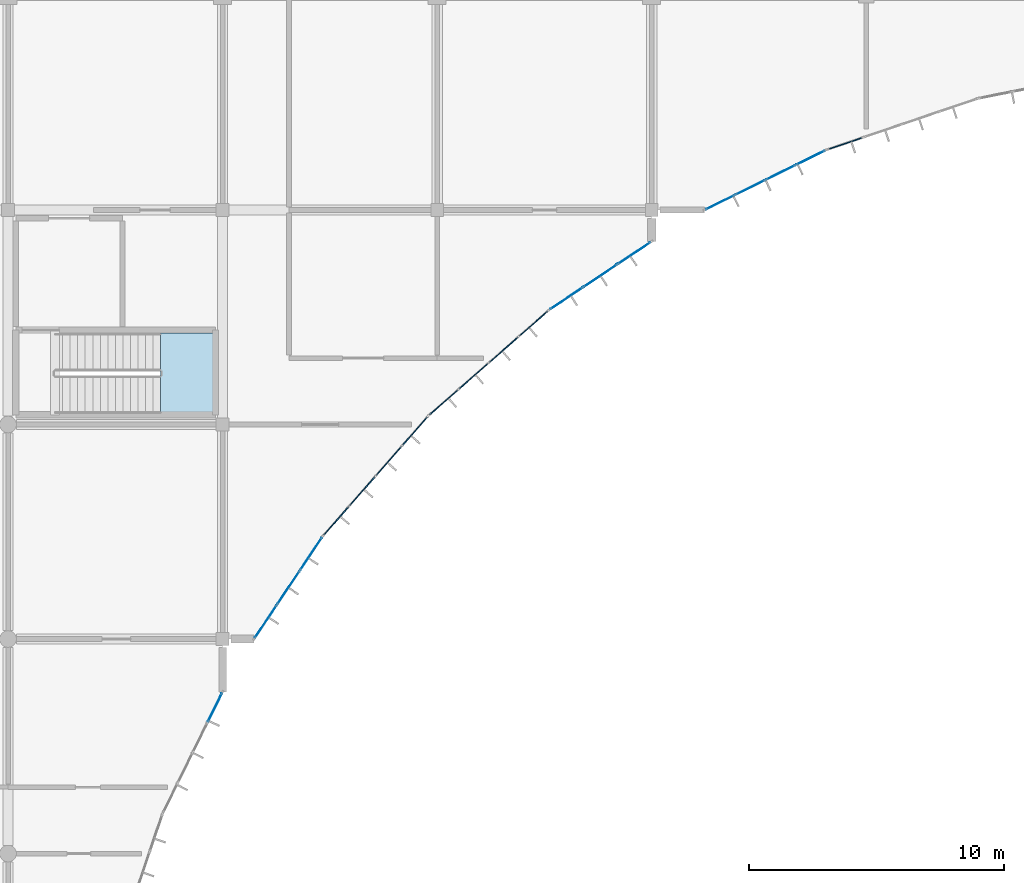
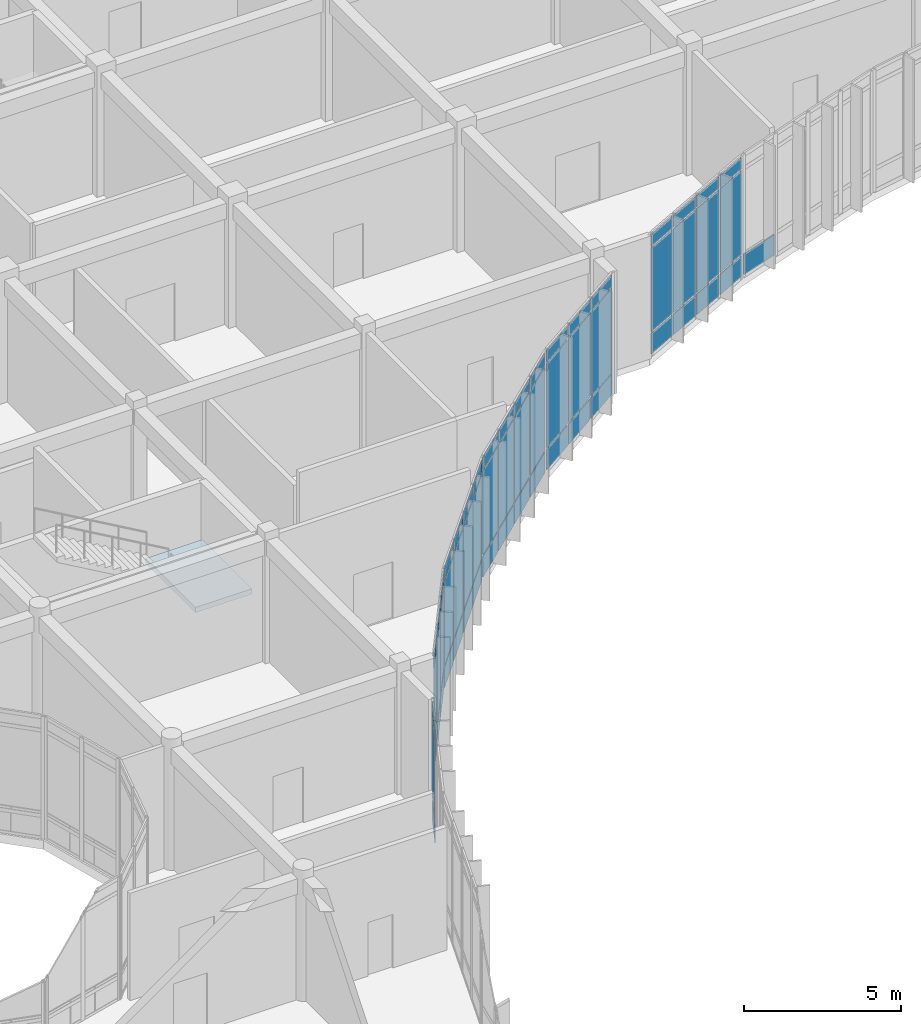
# One storey, part 84 of 134: 58 plates, 1 slab, 8 elements without a shape of their own.
"""IFC4 building model written with IfcOpenShell, lengths in metres."""

from ifc_helpers import new_model, si_unit, direction, frame, origin, origin_2d, place, context, subcontext, project, spatial, polyline, rectangle, outline, extrude, material, layer, layer_set, type_object, element, aggregate, save


model = new_model("IFC4")

# Units and contexts
model_context = context("Model", 3, precision=1e-05, world=origin(), true_north=direction((0.0, 1.0)))
body_context = subcontext(model_context, "Body", "Model", "MODEL_VIEW")
ifc_project = project(units=[si_unit("LENGTHUNIT", "METRE"), si_unit("AREAUNIT", "SQUARE_METRE"), si_unit("VOLUMEUNIT", "CUBIC_METRE"), si_unit("PLANEANGLEUNIT", "RADIAN"), si_unit("MASSUNIT", "GRAM", prefix="KILO")], contexts=[model_context])

# Site, building, storey
site_placement = place(None, origin())
site = spatial("IfcSite", under=ifc_project, at=site_placement, CompositionType="ELEMENT")
building_placement = place(site_placement, origin())
building = spatial("IfcBuilding", under=site, at=building_placement, Name="Bramfleet General Hospital", CompositionType="ELEMENT")
storey_placement = place(building_placement, frame((0.0, 0.0, 9.300048828125)))
storey = spatial("IfcBuildingStorey", under=building, at=storey_placement, Name="L02", CompositionType="ELEMENT", Elevation=9.300048828125)

# Curtain wall, plates
ifc_material_1 = material(Name="Anodised aluminium and low-E triple glazing", Category="aluminium")
ifc_layer_1 = layer(ifc_material_1, 0.179931640625, Name="CWT-CW-15")
ifc_layer_set_1 = layer_set([ifc_layer_1], Name="Anodised aluminium and low-E triple glazing")
curtain_wall_type_1 = type_object("IfcCurtainWallType", Name="CWT-CW-15", PredefinedType="USERDEFINED", material=ifc_layer_set_1)
curtain_wall_1_placement = place(storey_placement, origin())
curtain_wall_1 = element("IfcCurtainWall", 1, at=curtain_wall_1_placement, inside=storey, type_object=curtain_wall_type_1, Name="L02 Curtain Wall 105", ObjectType="Stick curtain wall", PredefinedType="USERDEFINED")
ifc_material_2 = material(Name="Low-E laminated safety glass", Category="glass")
ifc_layer_2 = layer(ifc_material_2, 0.028076171875, Name="CWP-GLZ-1")
ifc_layer_set_2 = layer_set([ifc_layer_2], Name="Low-E laminated safety glass")
plate_type_1 = type_object("IfcPlateType", Name="CWP-GLZ-1", PredefinedType="CURTAIN_PANEL", material=ifc_layer_set_2)
plate_1_placement = place(storey_placement, frame((157.420654296875, 86.044921875, 0.06494140625), z_axis=(0.0, 0.0, 1.0), x_axis=(-0.896864723513, -0.442304948782, 0.0)))
plate_1 = element("IfcPlate", 2, at=plate_1_placement, type_object=plate_type_1, Name="CW-15 panel 1.1", PredefinedType="CURTAIN_PANEL", context=body_context, shape_type="SweptSolid", body=[
    extrude(rectangle(XDim=1.220947265625, YDim=0.028076171875, at=origin_2d()), origin(), (0.0, 0.0, 1.0), 0.802490234375),
])
plate_2_placement = place(storey_placement, frame((157.420654296875, 86.044921875, 0.9326171875), z_axis=(0.0, 0.0, 1.0), x_axis=(-0.896864723513, -0.442304948782, 0.0)))
plate_2 = element("IfcPlate", 3, at=plate_2_placement, type_object=plate_type_1, Name="CW-15 panel 1.2", PredefinedType="CURTAIN_PANEL", context=body_context, shape_type="SweptSolid", body=[
    extrude(rectangle(XDim=1.220947265625, YDim=0.028076171875, at=origin_2d()), origin(), (0.0, 0.0, 1.0), 3.2548828125),
])
plate_3_placement = place(storey_placement, frame((157.420654296875, 86.044921875, 4.25244140625), z_axis=(0.0, 0.0, 1.0), x_axis=(-0.896864723513, -0.442304948782, 0.0)))
plate_3 = element("IfcPlate", 4, at=plate_3_placement, type_object=plate_type_1, Name="CW-15 panel 1.3", PredefinedType="CURTAIN_PANEL", context=body_context, shape_type="SweptSolid", body=[
    extrude(rectangle(XDim=1.220947265625, YDim=0.028076171875, at=origin_2d()), origin(), (0.0, 0.0, 1.0), 0.452392578125),
])
plate_4_placement = place(storey_placement, frame((156.2470703125, 85.46630859375, 0.06494140625), z_axis=(0.0, 0.0, 1.0), x_axis=(-0.896864723513, -0.442304948782, 0.0)))
plate_4 = element("IfcPlate", 5, at=plate_4_placement, type_object=plate_type_1, Name="CW-15 panel 2.1", PredefinedType="CURTAIN_PANEL", context=body_context, shape_type="SweptSolid", body=[
    extrude(rectangle(XDim=1.256103515625, YDim=0.028076171875, at=origin_2d()), origin(), (0.0, 0.0, 1.0), 0.802490234375),
])
plate_5_placement = place(storey_placement, frame((156.2470703125, 85.46630859375, 0.9326171875), z_axis=(0.0, 0.0, 1.0), x_axis=(-0.896864723513, -0.442304948782, 0.0)))
plate_5 = element("IfcPlate", 6, at=plate_5_placement, type_object=plate_type_1, Name="CW-15 panel 2.2", PredefinedType="CURTAIN_PANEL", context=body_context, shape_type="SweptSolid", body=[
    extrude(rectangle(XDim=1.256103515625, YDim=0.028076171875, at=origin_2d()), origin(), (0.0, 0.0, 1.0), 3.2548828125),
])
plate_6_placement = place(storey_placement, frame((156.2470703125, 85.46630859375, 4.25244140625), z_axis=(0.0, 0.0, 1.0), x_axis=(-0.896864723513, -0.442304948782, 0.0)))
plate_6 = element("IfcPlate", 7, at=plate_6_placement, type_object=plate_type_1, Name="CW-15 panel 2.3", PredefinedType="CURTAIN_PANEL", context=body_context, shape_type="SweptSolid", body=[
    extrude(rectangle(XDim=1.256103515625, YDim=0.028076171875, at=origin_2d()), origin(), (0.0, 0.0, 1.0), 0.452392578125),
])
plate_7_placement = place(storey_placement, frame((155.057861328125, 84.879638671875, 0.06494140625), z_axis=(0.0, 0.0, 1.0), x_axis=(-0.896864723513, -0.442304948782, 0.0)))
plate_7 = element("IfcPlate", 8, at=plate_7_placement, type_object=plate_type_1, Name="CW-15 panel 3.1", PredefinedType="CURTAIN_PANEL", context=body_context, shape_type="SweptSolid", body=[
    extrude(rectangle(XDim=1.256103515625, YDim=0.028076171875, at=origin_2d()), origin(), (0.0, 0.0, 1.0), 0.802490234375),
])
plate_8_placement = place(storey_placement, frame((155.057861328125, 84.879638671875, 0.9326171875), z_axis=(0.0, 0.0, 1.0), x_axis=(-0.896864723513, -0.442304948782, 0.0)))
plate_8 = element("IfcPlate", 9, at=plate_8_placement, type_object=plate_type_1, Name="CW-15 panel 3.2", PredefinedType="CURTAIN_PANEL", context=body_context, shape_type="SweptSolid", body=[
    extrude(rectangle(XDim=1.256103515625, YDim=0.028076171875, at=origin_2d()), origin(), (0.0, 0.0, 1.0), 3.2548828125),
])
plate_9_placement = place(storey_placement, frame((155.057861328125, 84.879638671875, 4.25244140625), z_axis=(0.0, 0.0, 1.0), x_axis=(-0.896864723513, -0.442304948782, 0.0)))
plate_9 = element("IfcPlate", 10, at=plate_9_placement, type_object=plate_type_1, Name="CW-15 panel 3.3", PredefinedType="CURTAIN_PANEL", context=body_context, shape_type="SweptSolid", body=[
    extrude(rectangle(XDim=1.256103515625, YDim=0.028076171875, at=origin_2d()), origin(), (0.0, 0.0, 1.0), 0.452392578125),
])
plate_10_placement = place(storey_placement, frame((153.88427734375, 84.301025390625, 0.06494140625), z_axis=(0.0, 0.0, 1.0), x_axis=(-0.896864723513, -0.442304948782, 0.0)))
plate_10 = element("IfcPlate", 11, at=plate_10_placement, type_object=plate_type_1, Name="CW-15 panel 4.1", PredefinedType="CURTAIN_PANEL", context=body_context, shape_type="SweptSolid", body=[
    extrude(rectangle(XDim=1.220947265625, YDim=0.028076171875, at=origin_2d()), origin(), (0.0, 0.0, 1.0), 0.802490234375),
])
plate_11_placement = place(storey_placement, frame((153.88427734375, 84.301025390625, 0.9326171875), z_axis=(0.0, 0.0, 1.0), x_axis=(-0.896864723513, -0.442304948782, 0.0)))
plate_11 = element("IfcPlate", 12, at=plate_11_placement, type_object=plate_type_1, Name="CW-15 panel 4.2", PredefinedType="CURTAIN_PANEL", context=body_context, shape_type="SweptSolid", body=[
    extrude(rectangle(XDim=1.220947265625, YDim=0.028076171875, at=origin_2d()), origin(), (0.0, 0.0, 1.0), 3.2548828125),
])
plate_12_placement = place(storey_placement, frame((153.88427734375, 84.301025390625, 4.25244140625), z_axis=(0.0, 0.0, 1.0), x_axis=(-0.896864723513, -0.442304948782, 0.0)))
plate_12 = element("IfcPlate", 13, at=plate_12_placement, type_object=plate_type_1, Name="CW-15 panel 4.3", PredefinedType="CURTAIN_PANEL", context=body_context, shape_type="SweptSolid", body=[
    extrude(rectangle(XDim=1.220947265625, YDim=0.028076171875, at=origin_2d()), origin(), (0.0, 0.0, 1.0), 0.452392578125),
])
aggregate(curtain_wall_1, [plate_1, plate_2, plate_3, plate_4, plate_5, plate_6, plate_7, plate_8, plate_9, plate_10, plate_11, plate_12])

ifc_layer_3 = layer(ifc_material_1, 0.179931640625, Name="CWT-CW-01")
ifc_layer_set_3 = layer_set([ifc_layer_3], Name="Anodised aluminium and low-E triple glazing")
curtain_wall_type_2 = type_object("IfcCurtainWallType", Name="CWT-CW-01", PredefinedType="USERDEFINED", material=ifc_layer_set_3)
curtain_wall_2_placement = place(storey_placement, origin())
curtain_wall_2 = element("IfcCurtainWall", 14, at=curtain_wall_2_placement, inside=storey, type_object=curtain_wall_type_2, Name="L02 Curtain Wall 109", ObjectType="Unitised curtain wall", PredefinedType="USERDEFINED")
plate_13_placement = place(storey_placement, frame((137.861572265625, 70.536376953125, 0.06494140625), z_axis=(0.0, 0.0, 1.0), x_axis=(-0.555463530135, -0.831540898988, 0.0)))
plate_13 = element("IfcPlate", 15, at=plate_13_placement, type_object=plate_type_1, Name="CW-01 panel 1.1", PredefinedType="CURTAIN_PANEL", context=body_context, shape_type="SweptSolid", body=[
    extrude(rectangle(XDim=1.5068359375, YDim=0.028076171875, at=origin_2d()), origin(), (0.0, 0.0, 1.0), 0.802490234375),
])
plate_14_placement = place(storey_placement, frame((137.861572265625, 70.536376953125, 0.9326171875), z_axis=(0.0, 0.0, 1.0), x_axis=(-0.555463530135, -0.831540898988, 0.0)))
plate_14 = element("IfcPlate", 16, at=plate_14_placement, type_object=plate_type_1, Name="CW-01 panel 1.2", PredefinedType="CURTAIN_PANEL", context=body_context, shape_type="SweptSolid", body=[
    extrude(rectangle(XDim=1.5068359375, YDim=0.028076171875, at=origin_2d()), origin(), (0.0, 0.0, 1.0), 3.2548828125),
])
plate_15_placement = place(storey_placement, frame((137.861572265625, 70.536376953125, 4.25244140625), z_axis=(0.0, 0.0, 1.0), x_axis=(-0.555463530135, -0.831540898988, 0.0)))
plate_15 = element("IfcPlate", 17, at=plate_15_placement, type_object=plate_type_1, Name="CW-01 panel 1.3", PredefinedType="CURTAIN_PANEL", context=body_context, shape_type="SweptSolid", body=[
    extrude(rectangle(XDim=1.5068359375, YDim=0.028076171875, at=origin_2d()), origin(), (0.0, 0.0, 1.0), 0.452392578125),
])
plate_16_placement = place(storey_placement, frame((136.97607421875, 69.21044921875, 0.06494140625), z_axis=(0.0, 0.0, 1.0), x_axis=(-0.555463530135, -0.831540898988, 0.0)))
plate_16 = element("IfcPlate", 18, at=plate_16_placement, type_object=plate_type_1, Name="CW-01 panel 2.1", PredefinedType="CURTAIN_PANEL", context=body_context, shape_type="SweptSolid", body=[
    extrude(rectangle(XDim=1.541748046875, YDim=0.028076171875, at=origin_2d()), origin(), (0.0, 0.0, 1.0), 0.802490234375),
])
plate_17_placement = place(storey_placement, frame((136.97607421875, 69.21044921875, 0.9326171875), z_axis=(0.0, 0.0, 1.0), x_axis=(-0.555463530135, -0.831540898988, 0.0)))
plate_17 = element("IfcPlate", 19, at=plate_17_placement, type_object=plate_type_1, Name="CW-01 panel 2.2", PredefinedType="CURTAIN_PANEL", context=body_context, shape_type="SweptSolid", body=[
    extrude(rectangle(XDim=1.541748046875, YDim=0.028076171875, at=origin_2d()), origin(), (0.0, 0.0, 1.0), 3.2548828125),
])
plate_18_placement = place(storey_placement, frame((136.97607421875, 69.21044921875, 4.25244140625), z_axis=(0.0, 0.0, 1.0), x_axis=(-0.555463530135, -0.831540898988, 0.0)))
plate_18 = element("IfcPlate", 20, at=plate_18_placement, type_object=plate_type_1, Name="CW-01 panel 2.3", PredefinedType="CURTAIN_PANEL", context=body_context, shape_type="SweptSolid", body=[
    extrude(rectangle(XDim=1.541748046875, YDim=0.028076171875, at=origin_2d()), origin(), (0.0, 0.0, 1.0), 0.452392578125),
])
plate_19_placement = place(storey_placement, frame((136.09033203125, 67.884765625, 0.06494140625), z_axis=(0.0, 0.0, 1.0), x_axis=(-0.555463530135, -0.831540898988, 0.0)))
plate_19 = element("IfcPlate", 21, at=plate_19_placement, type_object=plate_type_1, Name="CW-01 panel 3.1", PredefinedType="CURTAIN_PANEL", context=body_context, shape_type="SweptSolid", body=[
    extrude(rectangle(XDim=1.5068359375, YDim=0.028076171875, at=origin_2d()), origin(), (0.0, 0.0, 1.0), 0.802490234375),
])
plate_20_placement = place(storey_placement, frame((136.09033203125, 67.884765625, 0.9326171875), z_axis=(0.0, 0.0, 1.0), x_axis=(-0.555463530135, -0.831540898988, 0.0)))
plate_20 = element("IfcPlate", 22, at=plate_20_placement, type_object=plate_type_1, Name="CW-01 panel 3.2", PredefinedType="CURTAIN_PANEL", context=body_context, shape_type="SweptSolid", body=[
    extrude(rectangle(XDim=1.5068359375, YDim=0.028076171875, at=origin_2d()), origin(), (0.0, 0.0, 1.0), 3.2548828125),
])
plate_21_placement = place(storey_placement, frame((136.09033203125, 67.884765625, 4.25244140625), z_axis=(0.0, 0.0, 1.0), x_axis=(-0.555463530135, -0.831540898988, 0.0)))
plate_21 = element("IfcPlate", 23, at=plate_21_placement, type_object=plate_type_1, Name="CW-01 panel 3.3", PredefinedType="CURTAIN_PANEL", context=body_context, shape_type="SweptSolid", body=[
    extrude(rectangle(XDim=1.5068359375, YDim=0.028076171875, at=origin_2d()), origin(), (0.0, 0.0, 1.0), 0.452392578125),
])
aggregate(curtain_wall_2, [plate_13, plate_14, plate_15, plate_16, plate_17, plate_18, plate_19, plate_20, plate_21])

ifc_layer_4 = layer(ifc_material_1, 0.179931640625, Name="CWT-CW-16")
ifc_layer_set_4 = layer_set([ifc_layer_4], Name="Anodised aluminium and low-E triple glazing")
curtain_wall_type_3 = type_object("IfcCurtainWallType", Name="CWT-CW-16", PredefinedType="USERDEFINED", material=ifc_layer_set_4)
curtain_wall_3_placement = place(storey_placement, origin())
curtain_wall_3 = element("IfcCurtainWall", 24, at=curtain_wall_3_placement, inside=storey, type_object=curtain_wall_type_3, Name="L02 Curtain Wall 106", ObjectType="Stick curtain wall", PredefinedType="USERDEFINED")
ifc_layer_5 = layer(ifc_material_2, 0.031982421875, Name="CWP-GLZ-2")
ifc_layer_set_5 = layer_set([ifc_layer_5], Name="Low-E laminated safety glass")
plate_type_2 = type_object("IfcPlateType", Name="CWP-GLZ-2", PredefinedType="CURTAIN_PANEL", material=ifc_layer_set_5)
plate_22_placement = place(storey_placement, frame((150.515380859375, 82.3095703125, 0.06494140625), z_axis=(0.0, 0.0, 1.0), x_axis=(-0.831540898988, -0.555463530135, 0.0)))
plate_22 = element("IfcPlate", 25, at=plate_22_placement, type_object=plate_type_2, Name="CW-16 panel 1.1", PredefinedType="CURTAIN_PANEL", context=body_context, shape_type="SweptSolid", body=[
    extrude(rectangle(XDim=1.5068359375, YDim=0.031982421875, at=origin_2d()), origin(), (0.0, 0.0, 1.0), 0.802490234375),
])
plate_23_placement = place(storey_placement, frame((150.515380859375, 82.3095703125, 0.9326171875), z_axis=(0.0, 0.0, 1.0), x_axis=(-0.831540898988, -0.555463530135, 0.0)))
plate_23 = element("IfcPlate", 26, at=plate_23_placement, type_object=plate_type_2, Name="CW-16 panel 1.2", PredefinedType="CURTAIN_PANEL", context=body_context, shape_type="SweptSolid", body=[
    extrude(rectangle(XDim=1.5068359375, YDim=0.031982421875, at=origin_2d()), origin(), (0.0, 0.0, 1.0), 3.2548828125),
])
plate_24_placement = place(storey_placement, frame((150.515380859375, 82.3095703125, 4.25244140625), z_axis=(0.0, 0.0, 1.0), x_axis=(-0.831540898988, -0.555463530135, 0.0)))
plate_24 = element("IfcPlate", 27, at=plate_24_placement, type_object=plate_type_2, Name="CW-16 panel 1.3", PredefinedType="CURTAIN_PANEL", context=body_context, shape_type="SweptSolid", body=[
    extrude(rectangle(XDim=1.5068359375, YDim=0.031982421875, at=origin_2d()), origin(), (0.0, 0.0, 1.0), 0.452392578125),
])
plate_25_placement = place(storey_placement, frame((149.189453125, 81.424072265625, 0.06494140625), z_axis=(0.0, 0.0, 1.0), x_axis=(-0.831540898988, -0.555463530135, 0.0)))
plate_25 = element("IfcPlate", 28, at=plate_25_placement, type_object=plate_type_2, Name="CW-16 panel 2.1", PredefinedType="CURTAIN_PANEL", context=body_context, shape_type="SweptSolid", body=[
    extrude(rectangle(XDim=1.541748046875, YDim=0.031982421875, at=origin_2d()), origin(), (0.0, 0.0, 1.0), 0.802490234375),
])
plate_26_placement = place(storey_placement, frame((149.189453125, 81.424072265625, 0.9326171875), z_axis=(0.0, 0.0, 1.0), x_axis=(-0.831540898988, -0.555463530135, 0.0)))
plate_26 = element("IfcPlate", 29, at=plate_26_placement, type_object=plate_type_2, Name="CW-16 panel 2.2", PredefinedType="CURTAIN_PANEL", context=body_context, shape_type="SweptSolid", body=[
    extrude(rectangle(XDim=1.541748046875, YDim=0.031982421875, at=origin_2d()), origin(), (0.0, 0.0, 1.0), 3.2548828125),
])
plate_27_placement = place(storey_placement, frame((149.189453125, 81.424072265625, 4.25244140625), z_axis=(0.0, 0.0, 1.0), x_axis=(-0.831540898988, -0.555463530135, 0.0)))
plate_27 = element("IfcPlate", 30, at=plate_27_placement, type_object=plate_type_2, Name="CW-16 panel 2.3", PredefinedType="CURTAIN_PANEL", context=body_context, shape_type="SweptSolid", body=[
    extrude(rectangle(XDim=1.541748046875, YDim=0.031982421875, at=origin_2d()), origin(), (0.0, 0.0, 1.0), 0.452392578125),
])
plate_28_placement = place(storey_placement, frame((147.86376953125, 80.538330078125, 0.06494140625), z_axis=(0.0, 0.0, 1.0), x_axis=(-0.831540898988, -0.555463530135, 0.0)))
plate_28 = element("IfcPlate", 31, at=plate_28_placement, type_object=plate_type_2, Name="CW-16 panel 3.1", PredefinedType="CURTAIN_PANEL", context=body_context, shape_type="SweptSolid", body=[
    extrude(rectangle(XDim=1.5068359375, YDim=0.031982421875, at=origin_2d()), origin(), (0.0, 0.0, 1.0), 0.802490234375),
])
plate_29_placement = place(storey_placement, frame((147.86376953125, 80.538330078125, 0.9326171875), z_axis=(0.0, 0.0, 1.0), x_axis=(-0.831540898988, -0.555463530135, 0.0)))
plate_29 = element("IfcPlate", 32, at=plate_29_placement, type_object=plate_type_2, Name="CW-16 panel 3.2", PredefinedType="CURTAIN_PANEL", context=body_context, shape_type="SweptSolid", body=[
    extrude(rectangle(XDim=1.5068359375, YDim=0.031982421875, at=origin_2d()), origin(), (0.0, 0.0, 1.0), 3.2548828125),
])
plate_30_placement = place(storey_placement, frame((147.86376953125, 80.538330078125, 4.25244140625), z_axis=(0.0, 0.0, 1.0), x_axis=(-0.831540898988, -0.555463530135, 0.0)))
plate_30 = element("IfcPlate", 33, at=plate_30_placement, type_object=plate_type_2, Name="CW-16 panel 3.3", PredefinedType="CURTAIN_PANEL", context=body_context, shape_type="SweptSolid", body=[
    extrude(rectangle(XDim=1.5068359375, YDim=0.031982421875, at=origin_2d()), origin(), (0.0, 0.0, 1.0), 0.452392578125),
])
aggregate(curtain_wall_3, [plate_22, plate_23, plate_24, plate_25, plate_26, plate_27, plate_28, plate_29, plate_30])

ifc_layer_6 = layer(ifc_material_1, 0.179931640625, Name="CWT-CW-02")
ifc_layer_set_6 = layer_set([ifc_layer_6], Name="Anodised aluminium and low-E triple glazing")
curtain_wall_type_4 = type_object("IfcCurtainWallType", Name="CWT-CW-02", PredefinedType="USERDEFINED", material=ifc_layer_set_6)
curtain_wall_4_placement = place(storey_placement, origin())
curtain_wall_4 = element("IfcCurtainWall", 34, at=curtain_wall_4_placement, inside=storey, type_object=curtain_wall_type_4, Name="L02 Curtain Wall 110", ObjectType="Unitised curtain wall", PredefinedType="USERDEFINED")
plate_31_placement = place(storey_placement, frame((134.09912109375, 64.515625, 0.06494140625), z_axis=(0.0, 0.0, 1.0), x_axis=(-0.442304948782, -0.896864723513, 0.0)))
plate_31 = element("IfcPlate", 35, at=plate_31_placement, type_object=plate_type_2, Name="CW-02 panel 1.1", PredefinedType="CURTAIN_PANEL", context=body_context, shape_type="SweptSolid", body=[
    extrude(rectangle(XDim=1.220947265625, YDim=0.031982421875, at=origin_2d()), origin(), (0.0, 0.0, 1.0), 0.802490234375),
])
plate_32_placement = place(storey_placement, frame((134.09912109375, 64.515625, 0.9326171875), z_axis=(0.0, 0.0, 1.0), x_axis=(-0.442304948782, -0.896864723513, 0.0)))
plate_32 = element("IfcPlate", 36, at=plate_32_placement, type_object=plate_type_2, Name="CW-02 panel 1.2", PredefinedType="CURTAIN_PANEL", context=body_context, shape_type="SweptSolid", body=[
    extrude(rectangle(XDim=1.220947265625, YDim=0.031982421875, at=origin_2d()), origin(), (0.0, 0.0, 1.0), 3.2548828125),
])
plate_33_placement = place(storey_placement, frame((134.09912109375, 64.515625, 4.25244140625), z_axis=(0.0, 0.0, 1.0), x_axis=(-0.442304948782, -0.896864723513, 0.0)))
plate_33 = element("IfcPlate", 37, at=plate_33_placement, type_object=plate_type_2, Name="CW-02 panel 1.3", PredefinedType="CURTAIN_PANEL", context=body_context, shape_type="SweptSolid", body=[
    extrude(rectangle(XDim=1.220947265625, YDim=0.031982421875, at=origin_2d()), origin(), (0.0, 0.0, 1.0), 0.452392578125),
])
aggregate(curtain_wall_4, [plate_31, plate_32, plate_33])

ifc_layer_7 = layer(ifc_material_1, 0.179931640625, Name="CWT-CW-17")
ifc_layer_set_7 = layer_set([ifc_layer_7], Name="Anodised aluminium and low-E triple glazing")
curtain_wall_type_5 = type_object("IfcCurtainWallType", Name="CWT-CW-17", PredefinedType="USERDEFINED", material=ifc_layer_set_7)
curtain_wall_5_placement = place(storey_placement, origin())
curtain_wall_5 = element("IfcCurtainWall", 38, at=curtain_wall_5_placement, inside=storey, type_object=curtain_wall_type_5, Name="L02 Curtain Wall 107", ObjectType="Stick curtain wall", PredefinedType="USERDEFINED")
ifc_layer_8 = layer(ifc_material_2, 0.035888671875, Name="CWP-GLZ-3")
ifc_layer_set_8 = layer_set([ifc_layer_8], Name="Low-E laminated safety glass")
plate_type_3 = type_object("IfcPlateType", Name="CWP-GLZ-3", PredefinedType="CURTAIN_PANEL", material=ifc_layer_set_8)
plate_34_placement = place(storey_placement, frame((146.575927734375, 79.552001953125, 0.06494140625), z_axis=(0.0, 0.0, 1.0), x_axis=(-0.75178681735, -0.659406233864, 0.0)))
plate_34 = element("IfcPlate", 39, at=plate_34_placement, type_object=plate_type_3, Name="CW-17 panel 1.1", PredefinedType="CURTAIN_PANEL", context=body_context, shape_type="SweptSolid", body=[
    extrude(rectangle(XDim=1.464599609375, YDim=0.035888671875, at=origin_2d()), origin(), (0.0, 0.0, 1.0), 0.802490234375),
])
plate_35_placement = place(storey_placement, frame((146.575927734375, 79.552001953125, 0.9326171875), z_axis=(0.0, 0.0, 1.0), x_axis=(-0.75178681735, -0.659406233864, 0.0)))
plate_35 = element("IfcPlate", 40, at=plate_35_placement, type_object=plate_type_3, Name="CW-17 panel 1.2", PredefinedType="CURTAIN_PANEL", context=body_context, shape_type="SweptSolid", body=[
    extrude(rectangle(XDim=1.464599609375, YDim=0.035888671875, at=origin_2d()), origin(), (0.0, 0.0, 1.0), 3.2548828125),
])
plate_36_placement = place(storey_placement, frame((146.575927734375, 79.552001953125, 4.25244140625), z_axis=(0.0, 0.0, 1.0), x_axis=(-0.75178681735, -0.659406233864, 0.0)))
plate_36 = element("IfcPlate", 41, at=plate_36_placement, type_object=plate_type_3, Name="CW-17 panel 1.3", PredefinedType="CURTAIN_PANEL", context=body_context, shape_type="SweptSolid", body=[
    extrude(rectangle(XDim=1.464599609375, YDim=0.035888671875, at=origin_2d()), origin(), (0.0, 0.0, 1.0), 0.452392578125),
])
plate_37_placement = place(storey_placement, frame((145.408935546875, 78.528564453125, 0.06494140625), z_axis=(0.0, 0.0, 1.0), x_axis=(-0.75178681735, -0.659406233864, 0.0)))
plate_37 = element("IfcPlate", 42, at=plate_37_placement, type_object=plate_type_3, Name="CW-17 panel 2.1", PredefinedType="CURTAIN_PANEL", context=body_context, shape_type="SweptSolid", body=[
    extrude(rectangle(XDim=1.49951171875, YDim=0.035888671875, at=origin_2d()), origin(), (0.0, 0.0, 1.0), 0.802490234375),
])
plate_38_placement = place(storey_placement, frame((145.408935546875, 78.528564453125, 0.9326171875), z_axis=(0.0, 0.0, 1.0), x_axis=(-0.75178681735, -0.659406233864, 0.0)))
plate_38 = element("IfcPlate", 43, at=plate_38_placement, type_object=plate_type_3, Name="CW-17 panel 2.2", PredefinedType="CURTAIN_PANEL", context=body_context, shape_type="SweptSolid", body=[
    extrude(rectangle(XDim=1.49951171875, YDim=0.035888671875, at=origin_2d()), origin(), (0.0, 0.0, 1.0), 3.2548828125),
])
plate_39_placement = place(storey_placement, frame((145.408935546875, 78.528564453125, 4.25244140625), z_axis=(0.0, 0.0, 1.0), x_axis=(-0.75178681735, -0.659406233864, 0.0)))
plate_39 = element("IfcPlate", 44, at=plate_39_placement, type_object=plate_type_3, Name="CW-17 panel 2.3", PredefinedType="CURTAIN_PANEL", context=body_context, shape_type="SweptSolid", body=[
    extrude(rectangle(XDim=1.49951171875, YDim=0.035888671875, at=origin_2d()), origin(), (0.0, 0.0, 1.0), 0.452392578125),
])
plate_40_placement = place(storey_placement, frame((144.22900390625, 77.493408203125, 0.06494140625), z_axis=(0.0, 0.0, 1.0), x_axis=(-0.75178681735, -0.659406233864, 0.0)))
plate_40 = element("IfcPlate", 45, at=plate_40_placement, type_object=plate_type_3, Name="CW-17 panel 3.1", PredefinedType="CURTAIN_PANEL", context=body_context, shape_type="SweptSolid", body=[
    extrude(rectangle(XDim=1.49951171875, YDim=0.035888671875, at=origin_2d()), origin(), (0.0, 0.0, 1.0), 0.802490234375),
])
plate_41_placement = place(storey_placement, frame((144.22900390625, 77.493408203125, 0.9326171875), z_axis=(0.0, 0.0, 1.0), x_axis=(-0.75178681735, -0.659406233864, 0.0)))
plate_41 = element("IfcPlate", 46, at=plate_41_placement, type_object=plate_type_3, Name="CW-17 panel 3.2", PredefinedType="CURTAIN_PANEL", context=body_context, shape_type="SweptSolid", body=[
    extrude(rectangle(XDim=1.49951171875, YDim=0.035888671875, at=origin_2d()), origin(), (0.0, 0.0, 1.0), 3.2548828125),
])
plate_42_placement = place(storey_placement, frame((144.22900390625, 77.493408203125, 4.25244140625), z_axis=(0.0, 0.0, 1.0), x_axis=(-0.75178681735, -0.659406233864, 0.0)))
plate_42 = element("IfcPlate", 47, at=plate_42_placement, type_object=plate_type_3, Name="CW-17 panel 3.3", PredefinedType="CURTAIN_PANEL", context=body_context, shape_type="SweptSolid", body=[
    extrude(rectangle(XDim=1.49951171875, YDim=0.035888671875, at=origin_2d()), origin(), (0.0, 0.0, 1.0), 0.452392578125),
])
plate_43_placement = place(storey_placement, frame((143.062255859375, 76.469970703125, 0.06494140625), z_axis=(0.0, 0.0, 1.0), x_axis=(-0.75178681735, -0.659406233864, 0.0)))
plate_43 = element("IfcPlate", 48, at=plate_43_placement, type_object=plate_type_3, Name="CW-17 panel 4.1", PredefinedType="CURTAIN_PANEL", context=body_context, shape_type="SweptSolid", body=[
    extrude(rectangle(XDim=1.464599609375, YDim=0.035888671875, at=origin_2d()), origin(), (0.0, 0.0, 1.0), 0.802490234375),
])
plate_44_placement = place(storey_placement, frame((143.062255859375, 76.469970703125, 0.9326171875), z_axis=(0.0, 0.0, 1.0), x_axis=(-0.75178681735, -0.659406233864, 0.0)))
plate_44 = element("IfcPlate", 49, at=plate_44_placement, type_object=plate_type_3, Name="CW-17 panel 4.2", PredefinedType="CURTAIN_PANEL", context=body_context, shape_type="SweptSolid", body=[
    extrude(rectangle(XDim=1.464599609375, YDim=0.035888671875, at=origin_2d()), origin(), (0.0, 0.0, 1.0), 3.2548828125),
])
plate_45_placement = place(storey_placement, frame((143.062255859375, 76.469970703125, 4.25244140625), z_axis=(0.0, 0.0, 1.0), x_axis=(-0.75178681735, -0.659406233864, 0.0)))
plate_45 = element("IfcPlate", 50, at=plate_45_placement, type_object=plate_type_3, Name="CW-17 panel 4.3", PredefinedType="CURTAIN_PANEL", context=body_context, shape_type="SweptSolid", body=[
    extrude(rectangle(XDim=1.464599609375, YDim=0.035888671875, at=origin_2d()), origin(), (0.0, 0.0, 1.0), 0.452392578125),
])
aggregate(curtain_wall_5, [plate_34, plate_35, plate_36, plate_37, plate_38, plate_39, plate_40, plate_41, plate_42, plate_43, plate_44, plate_45])

# Curtain wall, plate
ifc_layer_9 = layer(ifc_material_1, 0.179931640625, Name="CWT-CW-14")
ifc_layer_set_9 = layer_set([ifc_layer_9], Name="Anodised aluminium and low-E triple glazing")
curtain_wall_type_6 = type_object("IfcCurtainWallType", Name="CWT-CW-14", PredefinedType="USERDEFINED", material=ifc_layer_set_9)
curtain_wall_6_placement = place(storey_placement, origin())
curtain_wall_6 = element("IfcCurtainWall", 51, at=curtain_wall_6_placement, inside=storey, type_object=curtain_wall_type_6, Name="L02 Curtain Wall 104", ObjectType="Stick curtain wall", PredefinedType="USERDEFINED")
ifc_layer_10 = layer(ifc_material_2, 0.0419921875, Name="CWP-GLZ-4")
ifc_layer_set_10 = layer_set([ifc_layer_10], Name="Low-E laminated safety glass")
plate_type_4 = type_object("IfcPlateType", Name="CWP-GLZ-4", PredefinedType="CURTAIN_PANEL", material=ifc_layer_set_10)
plate_46_placement = place(storey_placement, frame((158.790771484375, 86.603759765625, 0.06494140625), z_axis=(0.0, 0.0, 1.0), x_axis=(-0.946949276617, -0.321383054181, 0.0)))
plate_46 = element("IfcPlate", 52, at=plate_46_placement, type_object=plate_type_4, Name="CW-14 panel 4.1", PredefinedType="CURTAIN_PANEL", context=body_context, shape_type="SweptSolid", body=[
    extrude(rectangle(XDim=1.46484375, YDim=0.0419921875, at=origin_2d()), origin(), (0.0, 0.0, 1.0), 0.802490234375),
])
aggregate(curtain_wall_6, [plate_46])

# Curtain wall, plates
ifc_layer_11 = layer(ifc_material_1, 0.179931640625, Name="CWT-CW-18")
ifc_layer_set_11 = layer_set([ifc_layer_11], Name="Anodised aluminium and low-E triple glazing")
curtain_wall_type_7 = type_object("IfcCurtainWallType", Name="CWT-CW-18", PredefinedType="USERDEFINED", material=ifc_layer_set_11)
curtain_wall_7_placement = place(storey_placement, origin())
curtain_wall_7 = element("IfcCurtainWall", 53, at=curtain_wall_7_placement, inside=storey, type_object=curtain_wall_type_7, Name="L02 Curtain Wall 108", ObjectType="Stick curtain wall", PredefinedType="USERDEFINED")
plate_47_placement = place(storey_placement, frame((141.929931640625, 75.337890625, 0.06494140625), z_axis=(0.0, 0.0, 1.0), x_axis=(-0.659406233864, -0.75178681735, 0.0)))
plate_47 = element("IfcPlate", 54, at=plate_47_placement, type_object=plate_type_4, Name="CW-18 panel 1.1", PredefinedType="CURTAIN_PANEL", context=body_context, shape_type="SweptSolid", body=[
    extrude(rectangle(XDim=1.464599609375, YDim=0.0419921875, at=origin_2d()), origin(), (0.0, 0.0, 1.0), 0.802490234375),
])
plate_48_placement = place(storey_placement, frame((141.929931640625, 75.337890625, 0.9326171875), z_axis=(0.0, 0.0, 1.0), x_axis=(-0.659406233864, -0.75178681735, 0.0)))
plate_48 = element("IfcPlate", 55, at=plate_48_placement, type_object=plate_type_4, Name="CW-18 panel 1.2", PredefinedType="CURTAIN_PANEL", context=body_context, shape_type="SweptSolid", body=[
    extrude(rectangle(XDim=1.464599609375, YDim=0.0419921875, at=origin_2d()), origin(), (0.0, 0.0, 1.0), 3.2548828125),
])
plate_49_placement = place(storey_placement, frame((141.929931640625, 75.337890625, 4.25244140625), z_axis=(0.0, 0.0, 1.0), x_axis=(-0.659406233864, -0.75178681735, 0.0)))
plate_49 = element("IfcPlate", 56, at=plate_49_placement, type_object=plate_type_4, Name="CW-18 panel 1.3", PredefinedType="CURTAIN_PANEL", context=body_context, shape_type="SweptSolid", body=[
    extrude(rectangle(XDim=1.464599609375, YDim=0.0419921875, at=origin_2d()), origin(), (0.0, 0.0, 1.0), 0.452392578125),
])
plate_50_placement = place(storey_placement, frame((140.906494140625, 74.1708984375, 0.06494140625), z_axis=(0.0, 0.0, 1.0), x_axis=(-0.659406233864, -0.75178681735, 0.0)))
plate_50 = element("IfcPlate", 57, at=plate_50_placement, type_object=plate_type_4, Name="CW-18 panel 2.1", PredefinedType="CURTAIN_PANEL", context=body_context, shape_type="SweptSolid", body=[
    extrude(rectangle(XDim=1.49951171875, YDim=0.0419921875, at=origin_2d()), origin(), (0.0, 0.0, 1.0), 0.802490234375),
])
plate_51_placement = place(storey_placement, frame((140.906494140625, 74.1708984375, 0.9326171875), z_axis=(0.0, 0.0, 1.0), x_axis=(-0.659406233864, -0.75178681735, 0.0)))
plate_51 = element("IfcPlate", 58, at=plate_51_placement, type_object=plate_type_4, Name="CW-18 panel 2.2", PredefinedType="CURTAIN_PANEL", context=body_context, shape_type="SweptSolid", body=[
    extrude(rectangle(XDim=1.49951171875, YDim=0.0419921875, at=origin_2d()), origin(), (0.0, 0.0, 1.0), 3.2548828125),
])
plate_52_placement = place(storey_placement, frame((140.906494140625, 74.1708984375, 4.25244140625), z_axis=(0.0, 0.0, 1.0), x_axis=(-0.659406233864, -0.75178681735, 0.0)))
plate_52 = element("IfcPlate", 59, at=plate_52_placement, type_object=plate_type_4, Name="CW-18 panel 2.3", PredefinedType="CURTAIN_PANEL", context=body_context, shape_type="SweptSolid", body=[
    extrude(rectangle(XDim=1.49951171875, YDim=0.0419921875, at=origin_2d()), origin(), (0.0, 0.0, 1.0), 0.452392578125),
])
plate_53_placement = place(storey_placement, frame((139.87158203125, 72.990966796875, 0.06494140625), z_axis=(0.0, 0.0, 1.0), x_axis=(-0.659406233864, -0.75178681735, 0.0)))
plate_53 = element("IfcPlate", 60, at=plate_53_placement, type_object=plate_type_4, Name="CW-18 panel 3.1", PredefinedType="CURTAIN_PANEL", context=body_context, shape_type="SweptSolid", body=[
    extrude(rectangle(XDim=1.49951171875, YDim=0.0419921875, at=origin_2d()), origin(), (0.0, 0.0, 1.0), 0.802490234375),
])
plate_54_placement = place(storey_placement, frame((139.87158203125, 72.990966796875, 0.9326171875), z_axis=(0.0, 0.0, 1.0), x_axis=(-0.659406233864, -0.75178681735, 0.0)))
plate_54 = element("IfcPlate", 61, at=plate_54_placement, type_object=plate_type_4, Name="CW-18 panel 3.2", PredefinedType="CURTAIN_PANEL", context=body_context, shape_type="SweptSolid", body=[
    extrude(rectangle(XDim=1.49951171875, YDim=0.0419921875, at=origin_2d()), origin(), (0.0, 0.0, 1.0), 3.2548828125),
])
plate_55_placement = place(storey_placement, frame((139.87158203125, 72.990966796875, 4.25244140625), z_axis=(0.0, 0.0, 1.0), x_axis=(-0.659406233864, -0.75178681735, 0.0)))
plate_55 = element("IfcPlate", 62, at=plate_55_placement, type_object=plate_type_4, Name="CW-18 panel 3.3", PredefinedType="CURTAIN_PANEL", context=body_context, shape_type="SweptSolid", body=[
    extrude(rectangle(XDim=1.49951171875, YDim=0.0419921875, at=origin_2d()), origin(), (0.0, 0.0, 1.0), 0.452392578125),
])
plate_56_placement = place(storey_placement, frame((138.84814453125, 71.82421875, 0.06494140625), z_axis=(0.0, 0.0, 1.0), x_axis=(-0.659406233864, -0.75178681735, 0.0)))
plate_56 = element("IfcPlate", 63, at=plate_56_placement, type_object=plate_type_4, Name="CW-18 panel 4.1", PredefinedType="CURTAIN_PANEL", context=body_context, shape_type="SweptSolid", body=[
    extrude(rectangle(XDim=1.464599609375, YDim=0.0419921875, at=origin_2d()), origin(), (0.0, 0.0, 1.0), 0.802490234375),
])
plate_57_placement = place(storey_placement, frame((138.84814453125, 71.82421875, 0.9326171875), z_axis=(0.0, 0.0, 1.0), x_axis=(-0.659406233864, -0.75178681735, 0.0)))
plate_57 = element("IfcPlate", 64, at=plate_57_placement, type_object=plate_type_4, Name="CW-18 panel 4.2", PredefinedType="CURTAIN_PANEL", context=body_context, shape_type="SweptSolid", body=[
    extrude(rectangle(XDim=1.464599609375, YDim=0.0419921875, at=origin_2d()), origin(), (0.0, 0.0, 1.0), 3.2548828125),
])
plate_58_placement = place(storey_placement, frame((138.84814453125, 71.82421875, 4.25244140625), z_axis=(0.0, 0.0, 1.0), x_axis=(-0.659406233864, -0.75178681735, 0.0)))
plate_58 = element("IfcPlate", 65, at=plate_58_placement, type_object=plate_type_4, Name="CW-18 panel 4.3", PredefinedType="CURTAIN_PANEL", context=body_context, shape_type="SweptSolid", body=[
    extrude(rectangle(XDim=1.464599609375, YDim=0.0419921875, at=origin_2d()), origin(), (0.0, 0.0, 1.0), 0.452392578125),
])
aggregate(curtain_wall_7, [plate_47, plate_48, plate_49, plate_50, plate_51, plate_52, plate_53, plate_54, plate_55, plate_56, plate_57, plate_58])

# Stair, slab
ifc_material_3 = material(Name="Concrete C35/45", Category="concrete")
stair_type = type_object("IfcStairType", Name="STR-T1", PredefinedType="HALF_TURN_STAIR", material=ifc_material_3)
stair_placement = place(storey_placement, origin())
stair = element("IfcStair", 66, at=stair_placement, inside=storey, type_object=stair_type, Name="L02 Core C12 (East Diagnostic Base Escape) Protected Escape Stair", PredefinedType="HALF_TURN_STAIR")
ifc_layer_12 = layer(ifc_material_3, 0.199951171875, Name="SL-LND-200")
ifc_layer_set_12 = layer_set([ifc_layer_12], Name="Concrete C35/45")
slab_type = type_object("IfcSlabType", Name="SL-LND-200", PredefinedType="LANDING", material=ifc_layer_set_12)
slab_placement = place(storey_placement, frame((0.0, 0.0, 2.349853515625)))
slab = element("IfcSlab", 67, at=slab_placement, type_object=slab_type, Name="ST-C12 landing 1", PredefinedType="LANDING", context=body_context, shape_type="SweptSolid", body=[
    extrude(outline(polyline([(131.969970703125, 76.02001953125), (134.06005859375, 76.02001953125), (134.06005859375, 79.179931640625), (131.969970703125, 79.179931640625), (131.969970703125, 76.02001953125)])), origin(), (0.0, 0.0, 1.0), 0.2001953125),
])
aggregate(stair, [slab])

save(model, "model.ifc")
